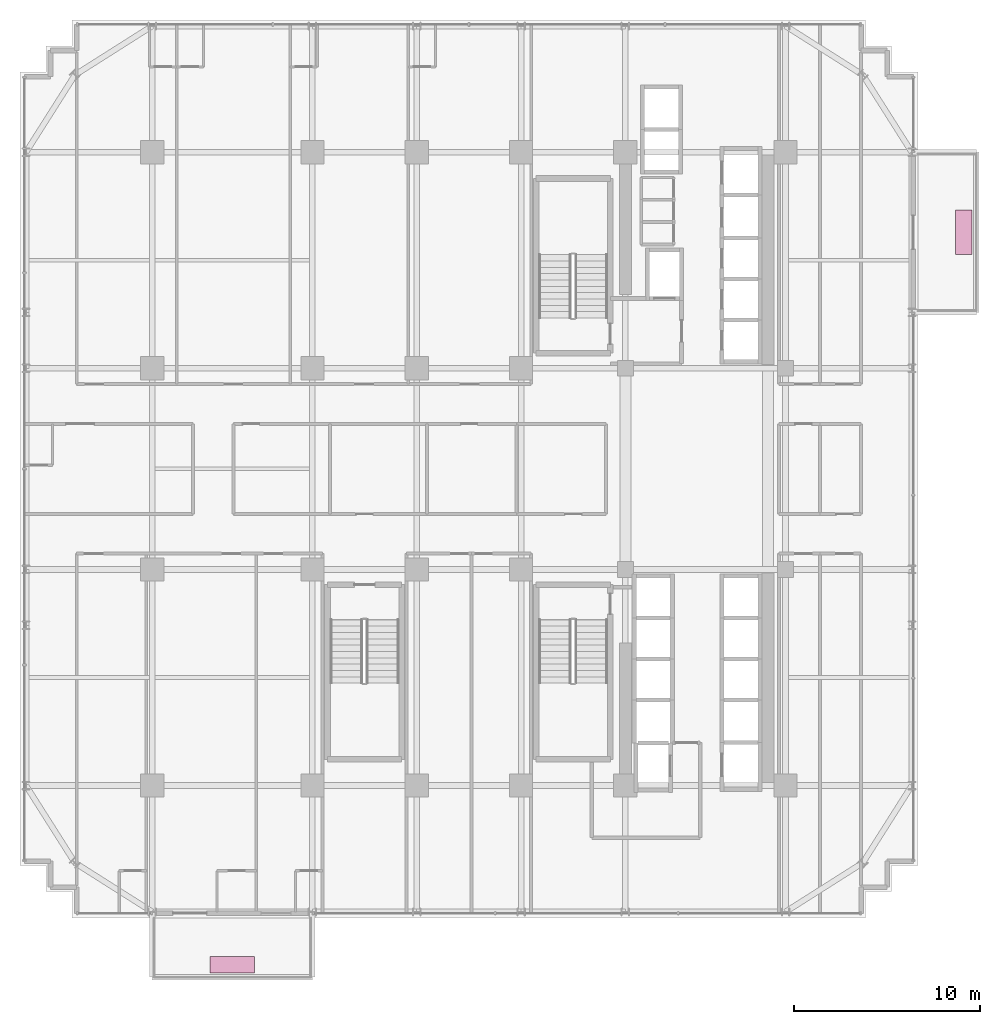
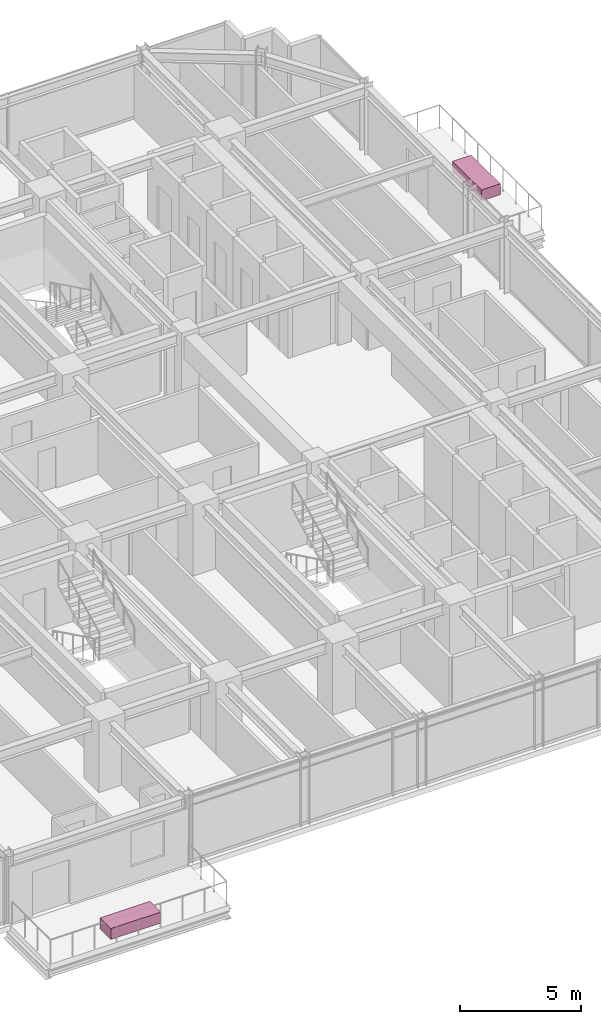
# One storey, part 33 of 33: 2 furnishings.
"""IFC4 building model written with IfcOpenShell, lengths in metres."""

from ifc_helpers import new_model, si_unit, direction, frame, origin, origin_2d, place, context, subcontext, project, spatial, rectangle, extrude, source, transform, mapped, material, type_object, element, save


model = new_model("IFC4")

# Units and contexts
model_context = context("Model", 3, precision=1e-05, world=origin(), true_north=direction((0.0, 1.0)))
body_context = subcontext(model_context, "Body", "Model", "MODEL_VIEW")
ifc_project = project(units=[si_unit("LENGTHUNIT", "METRE"), si_unit("AREAUNIT", "SQUARE_METRE"), si_unit("VOLUMEUNIT", "CUBIC_METRE"), si_unit("PLANEANGLEUNIT", "RADIAN"), si_unit("MASSUNIT", "GRAM", prefix="KILO")], contexts=[model_context])

# Site, building, storey
site_placement = place(None, origin())
site = spatial("IfcSite", under=ifc_project, at=site_placement, CompositionType="ELEMENT")
building_placement = place(site_placement, origin())
building = spatial("IfcBuilding", under=site, at=building_placement, Name="Nahalor Promenade Grand Hotel", CompositionType="ELEMENT")
storey_placement = place(building_placement, frame((0.0, 0.0, 132.10009765625)))
storey = spatial("IfcBuildingStorey", under=building, at=storey_placement, Name="L33", CompositionType="ELEMENT", Elevation=132.10009765625)

# Furnishings
ifc_material = material(Name="Vegetated Volcanic-Lapilli Tree Planter", Category="earth")
furnishing_element_type = type_object("IfcFurnishingElementType", Name="Planter-VerticalForest-Box", material=ifc_material)
shared_shape = source(origin(), body_context, "Body", "SweptSolid", [
    extrude(rectangle(XDim=2.39990234375, YDim=0.89990234375, at=origin_2d()), origin(), (0.0, 0.0, 1.0), 0.550048828125),
])
for number, where, z_axis, x_axis, name in (
    (1, (-12.699951171875, -26.6201171875, 0.0), (0.0, 0.0, 1.0), (1.0, 0.0, 0.0), "L33 Balcony Structural Tree Planter 1"),
    (2, (26.570068359375, 12.699951171875, 0.0), (0.0, 0.0, 1.0), (0.0, 1.0, 0.0), "L33 Balcony Structural Tree Planter 2"),
):
    element("IfcFurnishingElement", number, at=place(storey_placement, frame(where, z_axis=z_axis, x_axis=x_axis)), inside=storey, type_object=furnishing_element_type, Name=name, ObjectType="PLANTER", context=body_context, shape_type="MappedRepresentation", body=[
        mapped(shared_shape, transform((0.0, 0.0, 0.0), scale=1.0)),
    ])

save(model, "model.ifc")
